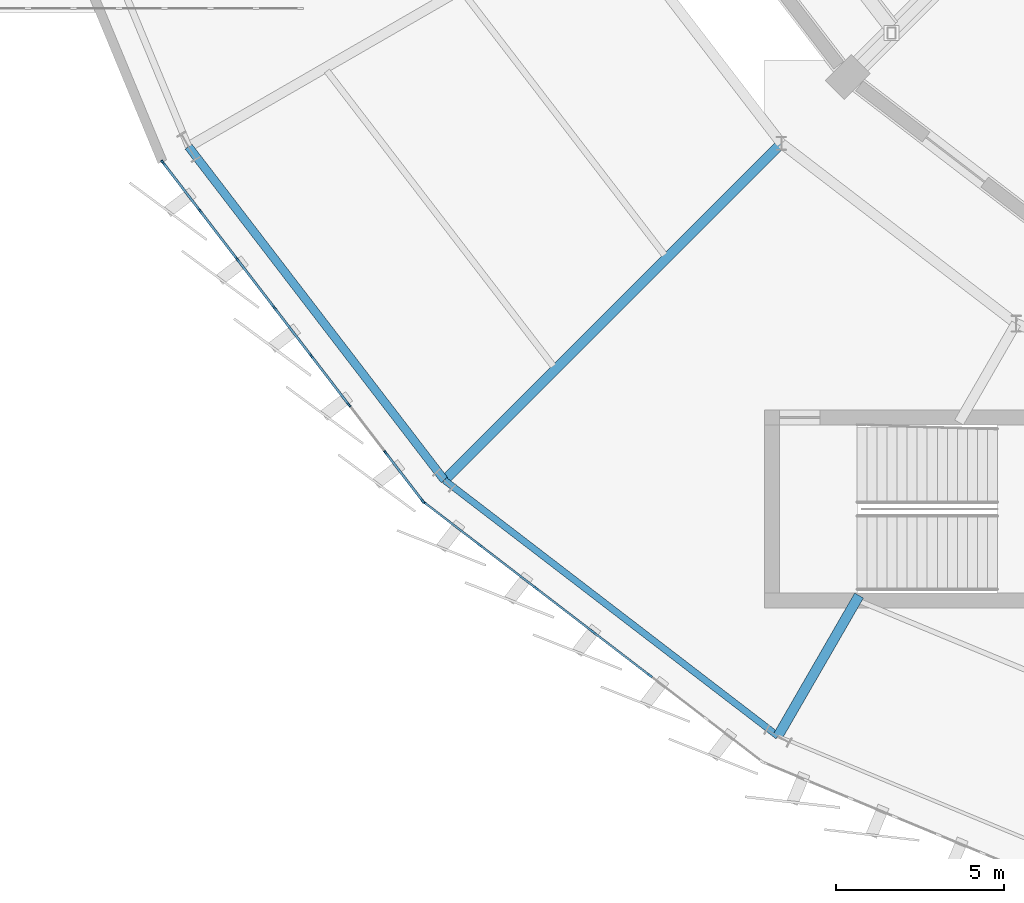
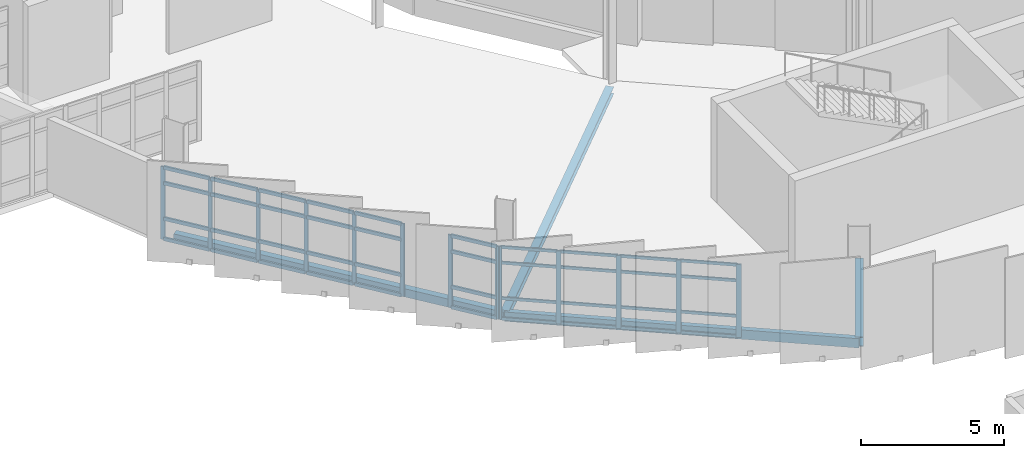
# One storey, part 26 of 120: 53 members, 4 beams, 2 elements without a shape of their own.
"""IFC4 building model written with IfcOpenShell, lengths in metres."""

from ifc_helpers import new_model, si_unit, direction, frame, origin, origin_2d, place, context, subcontext, project, spatial, rectangle, hollow_rectangle, i_section, extrude, material, layer, layer_set, material_profile, profile_set, type_object, element, aggregate, save


model = new_model("IFC4")

# Units and contexts
model_context = context("Model", 3, precision=1e-05, world=origin(), true_north=direction((0.0, 1.0)))
body_context = subcontext(model_context, "Body", "Model", "MODEL_VIEW")
ifc_project = project(units=[si_unit("LENGTHUNIT", "METRE"), si_unit("AREAUNIT", "SQUARE_METRE"), si_unit("VOLUMEUNIT", "CUBIC_METRE"), si_unit("PLANEANGLEUNIT", "RADIAN"), si_unit("MASSUNIT", "GRAM", prefix="KILO")], contexts=[model_context])

# Site, building, storey
site_placement = place(None, origin())
site = spatial("IfcSite", under=ifc_project, at=site_placement, CompositionType="ELEMENT")
building_placement = place(site_placement, origin())
building = spatial("IfcBuilding", under=site, at=building_placement, Name="Sohan Crest Arena", CompositionType="ELEMENT")
storey_placement = place(building_placement, frame((0.0, 0.0, 13.5)))
storey = spatial("IfcBuildingStorey", under=building, at=storey_placement, Name="L03", CompositionType="ELEMENT", Elevation=13.5)

# Curtain wall, members
ifc_material_1 = material(Name="Thermally broken anodised aluminium", Category="aluminium")
ifc_layer_1 = layer(ifc_material_1, 0.219970703125, Name="Thermally broken anodised aluminium")
ifc_layer_set_1 = layer_set([ifc_layer_1], Name="Thermally broken anodised aluminium")
curtain_wall_type_1 = type_object("IfcCurtainWallType", Name="ARC-CW03", PredefinedType="NOTDEFINED", material=ifc_layer_set_1)
curtain_wall_1_placement = place(storey_placement, origin())
curtain_wall_1 = element("IfcCurtainWall", 1, at=curtain_wall_1_placement, inside=storey, type_object=curtain_wall_type_1, Name="Unitised curtain wall CW-086", PredefinedType="NOTDEFINED")
ifc_material_profile_1 = material_profile(ifc_material_1, rectangle(XDim=0.06005859375, YDim=0.159912109375, at=origin_2d()), Name="ALU-MULL 60x160")
ifc_profile_set_1 = profile_set([ifc_material_profile_1], Name="Thermally broken anodised aluminium")
member_type_1 = type_object("IfcMemberType", Name="ARC-CW-ML01", PredefinedType="MULLION", material=ifc_profile_set_1)
member_1_placement = place(storey_placement, frame((55.669189453125, 53.526123046875, 0.0), z_axis=(0.0, 0.0, 1.0), x_axis=(0.793371792207, 0.608737381249, 0.0)))
member_1 = element("IfcMember", 2, at=member_1_placement, type_object=member_type_1, Name="CW-086 mullion 1", PredefinedType="MULLION", context=body_context, shape_type="SweptSolid", body=[
    extrude(rectangle(XDim=0.06005859375, YDim=0.159912109375, at=origin_2d()), origin(), (0.0, 0.0, 1.0), 3.1201171875),
])
member_2_placement = place(storey_placement, frame((56.76123046875, 52.10302734375, 0.0), z_axis=(0.0, 0.0, 1.0), x_axis=(0.793371792207, 0.608737381249, 0.0)))
member_2 = element("IfcMember", 3, at=member_2_placement, type_object=member_type_1, Name="CW-086 mullion 2", PredefinedType="MULLION", context=body_context, shape_type="SweptSolid", body=[
    extrude(rectangle(XDim=0.06005859375, YDim=0.159912109375, at=origin_2d()), origin(), (0.0, 0.0, 1.0), 3.1201171875),
])
member_3_placement = place(storey_placement, frame((57.871337890625, 50.65625, 0.0), z_axis=(0.0, 0.0, 1.0), x_axis=(0.793371792207, 0.608737381249, 0.0)))
member_3 = element("IfcMember", 4, at=member_3_placement, type_object=member_type_1, Name="CW-086 mullion 3", PredefinedType="MULLION", context=body_context, shape_type="SweptSolid", body=[
    extrude(rectangle(XDim=0.06005859375, YDim=0.159912109375, at=origin_2d()), origin(), (0.0, 0.0, 1.0), 3.1201171875),
])
member_4_placement = place(storey_placement, frame((58.9814453125, 49.20947265625, 0.0), z_axis=(0.0, 0.0, 1.0), x_axis=(0.793371792207, 0.608737381249, 0.0)))
member_4 = element("IfcMember", 5, at=member_4_placement, type_object=member_type_1, Name="CW-086 mullion 4", PredefinedType="MULLION", context=body_context, shape_type="SweptSolid", body=[
    extrude(rectangle(XDim=0.06005859375, YDim=0.159912109375, at=origin_2d()), origin(), (0.0, 0.0, 1.0), 3.1201171875),
])
member_5_placement = place(storey_placement, frame((60.091552734375, 47.762451171875, 0.0), z_axis=(0.0, 0.0, 1.0), x_axis=(0.793371792207, 0.608737381249, 0.0)))
member_5 = element("IfcMember", 6, at=member_5_placement, type_object=member_type_1, Name="CW-086 mullion 5", PredefinedType="MULLION", context=body_context, shape_type="SweptSolid", body=[
    extrude(rectangle(XDim=0.06005859375, YDim=0.159912109375, at=origin_2d()), origin(), (0.0, 0.0, 1.0), 3.1201171875),
])
member_6_placement = place(storey_placement, frame((61.20166015625, 46.315673828125, 0.0), z_axis=(0.0, 0.0, 1.0), x_axis=(0.793371792207, 0.608737381249, 0.0)))
member_6 = element("IfcMember", 7, at=member_6_placement, type_object=member_type_1, Name="CW-086 mullion 6", PredefinedType="MULLION", context=body_context, shape_type="SweptSolid", body=[
    extrude(rectangle(XDim=0.06005859375, YDim=0.159912109375, at=origin_2d()), origin(), (0.0, 0.0, 1.0), 3.1201171875),
])
member_7_placement = place(storey_placement, frame((62.311767578125, 44.868896484375, 0.0), z_axis=(0.0, 0.0, 1.0), x_axis=(0.793371792207, 0.608737381249, 0.0)))
member_7 = element("IfcMember", 8, at=member_7_placement, type_object=member_type_1, Name="CW-086 mullion 7", PredefinedType="MULLION", context=body_context, shape_type="SweptSolid", body=[
    extrude(rectangle(XDim=0.06005859375, YDim=0.159912109375, at=origin_2d()), origin(), (0.0, 0.0, 1.0), 3.1201171875),
])
member_8_placement = place(storey_placement, frame((63.40380859375, 43.44580078125, 0.0), z_axis=(0.0, 0.0, 1.0), x_axis=(0.793371792207, 0.608737381249, 0.0)))
member_8 = element("IfcMember", 9, at=member_8_placement, type_object=member_type_1, Name="CW-086 mullion 8", PredefinedType="MULLION", context=body_context, shape_type="SweptSolid", body=[
    extrude(rectangle(XDim=0.06005859375, YDim=0.159912109375, at=origin_2d()), origin(), (0.0, 0.0, 1.0), 3.1201171875),
])

ifc_layer_2 = layer(ifc_material_1, 0.239990234375, Name="Thermally broken anodised aluminium")
ifc_layer_set_2 = layer_set([ifc_layer_2], Name="Thermally broken anodised aluminium")
curtain_wall_type_2 = type_object("IfcCurtainWallType", Name="ARC-CW04", PredefinedType="NOTDEFINED", material=ifc_layer_set_2)
curtain_wall_2_placement = place(storey_placement, origin())
curtain_wall_2 = element("IfcCurtainWall", 10, at=curtain_wall_2_placement, inside=storey, type_object=curtain_wall_type_2, Name="Unitised curtain wall CW-087", PredefinedType="NOTDEFINED")
ifc_material_profile_2 = material_profile(ifc_material_1, rectangle(XDim=0.06494140625, YDim=0.179931640625, at=origin_2d()), Name="ALU-MULL 65x180")
ifc_profile_set_2 = profile_set([ifc_material_profile_2], Name="Thermally broken anodised aluminium")
member_type_2 = type_object("IfcMemberType", Name="ARC-CW-ML02", PredefinedType="MULLION", material=ifc_profile_set_2)
member_9_placement = place(storey_placement, frame((63.44775390625, 43.402099609375, 0.0), z_axis=(0.0, 0.0, 1.0), x_axis=(0.608737381249, 0.793371792207, 0.0)))
member_9 = element("IfcMember", 11, at=member_9_placement, type_object=member_type_2, Name="CW-087 mullion 1", PredefinedType="MULLION", context=body_context, shape_type="SweptSolid", body=[
    extrude(rectangle(XDim=0.06494140625, YDim=0.179931640625, at=origin_2d()), origin(), (0.0, 0.0, 1.0), 3.1201171875),
])
member_10_placement = place(storey_placement, frame((65.110107421875, 42.126953125, 0.0), z_axis=(0.0, 0.0, 1.0), x_axis=(0.608737381249, 0.793371792207, 0.0)))
member_10 = element("IfcMember", 12, at=member_10_placement, type_object=member_type_2, Name="CW-087 mullion 2", PredefinedType="MULLION", context=body_context, shape_type="SweptSolid", body=[
    extrude(rectangle(XDim=0.06494140625, YDim=0.179931640625, at=origin_2d()), origin(), (0.0, 0.0, 1.0), 3.1201171875),
])
member_11_placement = place(storey_placement, frame((66.798095703125, 40.831787109375, 0.0), z_axis=(0.0, 0.0, 1.0), x_axis=(0.608737381249, 0.793371792207, 0.0)))
member_11 = element("IfcMember", 13, at=member_11_placement, type_object=member_type_2, Name="CW-087 mullion 3", PredefinedType="MULLION", context=body_context, shape_type="SweptSolid", body=[
    extrude(rectangle(XDim=0.06494140625, YDim=0.179931640625, at=origin_2d()), origin(), (0.0, 0.0, 1.0), 3.1201171875),
])
member_12_placement = place(storey_placement, frame((68.486083984375, 39.53662109375, 0.0), z_axis=(0.0, 0.0, 1.0), x_axis=(0.608737381249, 0.793371792207, 0.0)))
member_12 = element("IfcMember", 14, at=member_12_placement, type_object=member_type_2, Name="CW-087 mullion 4", PredefinedType="MULLION", context=body_context, shape_type="SweptSolid", body=[
    extrude(rectangle(XDim=0.06494140625, YDim=0.179931640625, at=origin_2d()), origin(), (0.0, 0.0, 1.0), 3.1201171875),
])
member_13_placement = place(storey_placement, frame((70.174072265625, 38.241455078125, 0.0), z_axis=(0.0, 0.0, 1.0), x_axis=(0.608737381249, 0.793371792207, 0.0)))
member_13 = element("IfcMember", 15, at=member_13_placement, type_object=member_type_2, Name="CW-087 mullion 5", PredefinedType="MULLION", context=body_context, shape_type="SweptSolid", body=[
    extrude(rectangle(XDim=0.06494140625, YDim=0.179931640625, at=origin_2d()), origin(), (0.0, 0.0, 1.0), 3.1201171875),
])
ifc_material_profile_3 = material_profile(ifc_material_1, rectangle(XDim=0.06005859375, YDim=0.1201171875, at=origin_2d()), Name="ALU-TRAN 60x120")
ifc_profile_set_3 = profile_set([ifc_material_profile_3], Name="Thermally broken anodised aluminium")
member_type_3 = type_object("IfcMemberType", Name="ARC-CW-TR01", PredefinedType="USERDEFINED", material=ifc_profile_set_3)
member_14_placement = place(storey_placement, frame((63.4736328125, 43.38232421875, 0.030029296875), z_axis=(0.793414682637, -0.608681477767, 0.0), x_axis=(0.608681477767, 0.793414682637, 0.0)))
member_14 = element("IfcMember", 16, at=member_14_placement, type_object=member_type_3, Name="CW-087 transom 1.1", ObjectType="TRANSOM", PredefinedType="USERDEFINED", context=body_context, shape_type="SweptSolid", body=[
    extrude(rectangle(XDim=0.06005859375, YDim=0.1201171875, at=origin_2d()), origin(), (0.0, 0.0, 1.0), 2.030029296875),
])
member_15_placement = place(storey_placement, frame((63.4736328125, 43.38232421875, 0.89990234375), z_axis=(0.793414682637, -0.608681477767, 0.0), x_axis=(0.608681477767, 0.793414682637, 0.0)))
member_15 = element("IfcMember", 17, at=member_15_placement, type_object=member_type_3, Name="CW-087 transom 1.2", ObjectType="TRANSOM", PredefinedType="USERDEFINED", context=body_context, shape_type="SweptSolid", body=[
    extrude(rectangle(XDim=0.06005859375, YDim=0.1201171875, at=origin_2d()), origin(), (0.0, 0.0, 1.0), 2.030029296875),
])
member_16_placement = place(storey_placement, frame((63.4736328125, 43.38232421875, 2.419921875), z_axis=(0.793414682637, -0.608681477767, 0.0), x_axis=(0.608681477767, 0.793414682637, 0.0)))
member_16 = element("IfcMember", 18, at=member_16_placement, type_object=member_type_3, Name="CW-087 transom 1.3", ObjectType="TRANSOM", PredefinedType="USERDEFINED", context=body_context, shape_type="SweptSolid", body=[
    extrude(rectangle(XDim=0.06005859375, YDim=0.1201171875, at=origin_2d()), origin(), (0.0, 0.0, 1.0), 2.030029296875),
])
member_17_placement = place(storey_placement, frame((63.4736328125, 43.38232421875, 3.090087890625), z_axis=(0.793414682637, -0.608681477767, 0.0), x_axis=(0.608681477767, 0.793414682637, 0.0)))
member_17 = element("IfcMember", 19, at=member_17_placement, type_object=member_type_3, Name="CW-087 transom 1.4", ObjectType="TRANSOM", PredefinedType="USERDEFINED", context=body_context, shape_type="SweptSolid", body=[
    extrude(rectangle(XDim=0.06005859375, YDim=0.1201171875, at=origin_2d()), origin(), (0.0, 0.0, 1.0), 2.030029296875),
])
member_18_placement = place(storey_placement, frame((65.1357421875, 42.10693359375, 0.030029296875), z_axis=(0.79343295745, -0.608657655856, 0.0), x_axis=(0.608657655856, 0.79343295745, 0.0)))
member_18 = element("IfcMember", 20, at=member_18_placement, type_object=member_type_3, Name="CW-087 transom 2.1", ObjectType="TRANSOM", PredefinedType="USERDEFINED", context=body_context, shape_type="SweptSolid", body=[
    extrude(rectangle(XDim=0.06005859375, YDim=0.1201171875, at=origin_2d()), origin(), (0.0, 0.0, 1.0), 2.0625),
])
member_19_placement = place(storey_placement, frame((65.1357421875, 42.10693359375, 0.89990234375), z_axis=(0.79343295745, -0.608657655856, 0.0), x_axis=(0.608657655856, 0.79343295745, 0.0)))
member_19 = element("IfcMember", 21, at=member_19_placement, type_object=member_type_3, Name="CW-087 transom 2.2", ObjectType="TRANSOM", PredefinedType="USERDEFINED", context=body_context, shape_type="SweptSolid", body=[
    extrude(rectangle(XDim=0.06005859375, YDim=0.1201171875, at=origin_2d()), origin(), (0.0, 0.0, 1.0), 2.0625),
])
member_20_placement = place(storey_placement, frame((65.1357421875, 42.10693359375, 2.419921875), z_axis=(0.79343295745, -0.608657655856, 0.0), x_axis=(0.608657655856, 0.79343295745, 0.0)))
member_20 = element("IfcMember", 22, at=member_20_placement, type_object=member_type_3, Name="CW-087 transom 2.3", ObjectType="TRANSOM", PredefinedType="USERDEFINED", context=body_context, shape_type="SweptSolid", body=[
    extrude(rectangle(XDim=0.06005859375, YDim=0.1201171875, at=origin_2d()), origin(), (0.0, 0.0, 1.0), 2.0625),
])
member_21_placement = place(storey_placement, frame((65.1357421875, 42.10693359375, 3.090087890625), z_axis=(0.79343295745, -0.608657655856, 0.0), x_axis=(0.608657655856, 0.79343295745, 0.0)))
member_21 = element("IfcMember", 23, at=member_21_placement, type_object=member_type_3, Name="CW-087 transom 2.4", ObjectType="TRANSOM", PredefinedType="USERDEFINED", context=body_context, shape_type="SweptSolid", body=[
    extrude(rectangle(XDim=0.06005859375, YDim=0.1201171875, at=origin_2d()), origin(), (0.0, 0.0, 1.0), 2.0625),
])
member_22_placement = place(storey_placement, frame((66.82373046875, 40.811767578125, 0.030029296875), z_axis=(0.79343295745, -0.608657655856, 0.0), x_axis=(0.608657655856, 0.79343295745, 0.0)))
member_22 = element("IfcMember", 24, at=member_22_placement, type_object=member_type_3, Name="CW-087 transom 3.1", ObjectType="TRANSOM", PredefinedType="USERDEFINED", context=body_context, shape_type="SweptSolid", body=[
    extrude(rectangle(XDim=0.06005859375, YDim=0.1201171875, at=origin_2d()), origin(), (0.0, 0.0, 1.0), 2.0625),
])
member_23_placement = place(storey_placement, frame((66.82373046875, 40.811767578125, 0.89990234375), z_axis=(0.79343295745, -0.608657655856, 0.0), x_axis=(0.608657655856, 0.79343295745, 0.0)))
member_23 = element("IfcMember", 25, at=member_23_placement, type_object=member_type_3, Name="CW-087 transom 3.2", ObjectType="TRANSOM", PredefinedType="USERDEFINED", context=body_context, shape_type="SweptSolid", body=[
    extrude(rectangle(XDim=0.06005859375, YDim=0.1201171875, at=origin_2d()), origin(), (0.0, 0.0, 1.0), 2.0625),
])
member_24_placement = place(storey_placement, frame((66.82373046875, 40.811767578125, 2.419921875), z_axis=(0.79343295745, -0.608657655856, 0.0), x_axis=(0.608657655856, 0.79343295745, 0.0)))
member_24 = element("IfcMember", 26, at=member_24_placement, type_object=member_type_3, Name="CW-087 transom 3.3", ObjectType="TRANSOM", PredefinedType="USERDEFINED", context=body_context, shape_type="SweptSolid", body=[
    extrude(rectangle(XDim=0.06005859375, YDim=0.1201171875, at=origin_2d()), origin(), (0.0, 0.0, 1.0), 2.0625),
])
member_25_placement = place(storey_placement, frame((66.82373046875, 40.811767578125, 3.090087890625), z_axis=(0.79343295745, -0.608657655856, 0.0), x_axis=(0.608657655856, 0.79343295745, 0.0)))
member_25 = element("IfcMember", 27, at=member_25_placement, type_object=member_type_3, Name="CW-087 transom 3.4", ObjectType="TRANSOM", PredefinedType="USERDEFINED", context=body_context, shape_type="SweptSolid", body=[
    extrude(rectangle(XDim=0.06005859375, YDim=0.1201171875, at=origin_2d()), origin(), (0.0, 0.0, 1.0), 2.0625),
])
member_26_placement = place(storey_placement, frame((68.51171875, 39.5166015625, 0.030029296875), z_axis=(0.79343295745, -0.608657655856, 0.0), x_axis=(0.608657655856, 0.79343295745, 0.0)))
member_26 = element("IfcMember", 28, at=member_26_placement, type_object=member_type_3, Name="CW-087 transom 4.1", ObjectType="TRANSOM", PredefinedType="USERDEFINED", context=body_context, shape_type="SweptSolid", body=[
    extrude(rectangle(XDim=0.06005859375, YDim=0.1201171875, at=origin_2d()), origin(), (0.0, 0.0, 1.0), 2.0625),
])
member_27_placement = place(storey_placement, frame((68.51171875, 39.5166015625, 0.89990234375), z_axis=(0.79343295745, -0.608657655856, 0.0), x_axis=(0.608657655856, 0.79343295745, 0.0)))
member_27 = element("IfcMember", 29, at=member_27_placement, type_object=member_type_3, Name="CW-087 transom 4.2", ObjectType="TRANSOM", PredefinedType="USERDEFINED", context=body_context, shape_type="SweptSolid", body=[
    extrude(rectangle(XDim=0.06005859375, YDim=0.1201171875, at=origin_2d()), origin(), (0.0, 0.0, 1.0), 2.0625),
])
member_28_placement = place(storey_placement, frame((68.51171875, 39.5166015625, 2.419921875), z_axis=(0.79343295745, -0.608657655856, 0.0), x_axis=(0.608657655856, 0.79343295745, 0.0)))
member_28 = element("IfcMember", 30, at=member_28_placement, type_object=member_type_3, Name="CW-087 transom 4.3", ObjectType="TRANSOM", PredefinedType="USERDEFINED", context=body_context, shape_type="SweptSolid", body=[
    extrude(rectangle(XDim=0.06005859375, YDim=0.1201171875, at=origin_2d()), origin(), (0.0, 0.0, 1.0), 2.0625),
])
member_29_placement = place(storey_placement, frame((68.51171875, 39.5166015625, 3.090087890625), z_axis=(0.79343295745, -0.608657655856, 0.0), x_axis=(0.608657655856, 0.79343295745, 0.0)))
member_29 = element("IfcMember", 31, at=member_29_placement, type_object=member_type_3, Name="CW-087 transom 4.4", ObjectType="TRANSOM", PredefinedType="USERDEFINED", context=body_context, shape_type="SweptSolid", body=[
    extrude(rectangle(XDim=0.06005859375, YDim=0.1201171875, at=origin_2d()), origin(), (0.0, 0.0, 1.0), 2.0625),
])
aggregate(curtain_wall_2, [member_9, member_10, member_11, member_12, member_13, member_14, member_15, member_16, member_17, member_18, member_19, member_20, member_21, member_22, member_23, member_24, member_25, member_26, member_27, member_28, member_29])

# Member
ifc_material_profile_4 = material_profile(ifc_material_1, rectangle(XDim=0.070068359375, YDim=0.14990234375, at=origin_2d()), Name="ALU-TRAN 70x150")
ifc_profile_set_4 = profile_set([ifc_material_profile_4], Name="Thermally broken anodised aluminium")
member_type_4 = type_object("IfcMemberType", Name="ARC-CW-TR03", PredefinedType="USERDEFINED", material=ifc_profile_set_4)
member_30_placement = place(storey_placement, frame((55.6875, 53.50244140625, 0.034912109375), z_axis=(0.608750771004, -0.793361518352, 0.0), x_axis=(0.793361518352, 0.608750771004, 0.0)))
member_30 = element("IfcMember", 32, at=member_30_placement, type_object=member_type_4, Name="CW-086 transom 1.1", ObjectType="TRANSOM", PredefinedType="USERDEFINED", context=body_context, shape_type="SweptSolid", body=[
    extrude(rectangle(XDim=0.070068359375, YDim=0.14990234375, at=origin_2d()), origin(), (0.0, 0.0, 1.0), 1.733642578125),
])

member_31_placement = place(storey_placement, frame((55.6875, 53.50244140625, 0.89990234375), z_axis=(0.608750771004, -0.793361518352, 0.0), x_axis=(0.793361518352, 0.608750771004, 0.0)))
member_31 = element("IfcMember", 33, at=member_31_placement, type_object=member_type_4, Name="CW-086 transom 1.2", ObjectType="TRANSOM", PredefinedType="USERDEFINED", context=body_context, shape_type="SweptSolid", body=[
    extrude(rectangle(XDim=0.070068359375, YDim=0.14990234375, at=origin_2d()), origin(), (0.0, 0.0, 1.0), 1.733642578125),
])

member_32_placement = place(storey_placement, frame((55.6875, 53.50244140625, 2.419921875), z_axis=(0.608750771004, -0.793361518352, 0.0), x_axis=(0.793361518352, 0.608750771004, 0.0)))
member_32 = element("IfcMember", 34, at=member_32_placement, type_object=member_type_4, Name="CW-086 transom 1.3", ObjectType="TRANSOM", PredefinedType="USERDEFINED", context=body_context, shape_type="SweptSolid", body=[
    extrude(rectangle(XDim=0.070068359375, YDim=0.14990234375, at=origin_2d()), origin(), (0.0, 0.0, 1.0), 1.733642578125),
])

member_33_placement = place(storey_placement, frame((55.6875, 53.50244140625, 3.0849609375), z_axis=(0.608750771004, -0.793361518352, 0.0), x_axis=(0.793361518352, 0.608750771004, 0.0)))
member_33 = element("IfcMember", 35, at=member_33_placement, type_object=member_type_4, Name="CW-086 transom 1.4", ObjectType="TRANSOM", PredefinedType="USERDEFINED", context=body_context, shape_type="SweptSolid", body=[
    extrude(rectangle(XDim=0.070068359375, YDim=0.14990234375, at=origin_2d()), origin(), (0.0, 0.0, 1.0), 1.733642578125),
])

member_34_placement = place(storey_placement, frame((56.779296875, 52.079345703125, 0.034912109375), z_axis=(0.608800551103, -0.79332331932, 0.0), x_axis=(0.79332331932, 0.608800551103, 0.0)))
member_34 = element("IfcMember", 36, at=member_34_placement, type_object=member_type_4, Name="CW-086 transom 2.1", ObjectType="TRANSOM", PredefinedType="USERDEFINED", context=body_context, shape_type="SweptSolid", body=[
    extrude(rectangle(XDim=0.070068359375, YDim=0.14990234375, at=origin_2d()), origin(), (0.0, 0.0, 1.0), 1.763671875),
])

member_35_placement = place(storey_placement, frame((56.779296875, 52.079345703125, 0.89990234375), z_axis=(0.608800551103, -0.79332331932, 0.0), x_axis=(0.79332331932, 0.608800551103, 0.0)))
member_35 = element("IfcMember", 37, at=member_35_placement, type_object=member_type_4, Name="CW-086 transom 2.2", ObjectType="TRANSOM", PredefinedType="USERDEFINED", context=body_context, shape_type="SweptSolid", body=[
    extrude(rectangle(XDim=0.070068359375, YDim=0.14990234375, at=origin_2d()), origin(), (0.0, 0.0, 1.0), 1.763671875),
])

member_36_placement = place(storey_placement, frame((56.779296875, 52.079345703125, 2.419921875), z_axis=(0.608800551103, -0.79332331932, 0.0), x_axis=(0.79332331932, 0.608800551103, 0.0)))
member_36 = element("IfcMember", 38, at=member_36_placement, type_object=member_type_4, Name="CW-086 transom 2.3", ObjectType="TRANSOM", PredefinedType="USERDEFINED", context=body_context, shape_type="SweptSolid", body=[
    extrude(rectangle(XDim=0.070068359375, YDim=0.14990234375, at=origin_2d()), origin(), (0.0, 0.0, 1.0), 1.763671875),
])

member_37_placement = place(storey_placement, frame((56.779296875, 52.079345703125, 3.0849609375), z_axis=(0.608800551103, -0.79332331932, 0.0), x_axis=(0.79332331932, 0.608800551103, 0.0)))
member_37 = element("IfcMember", 39, at=member_37_placement, type_object=member_type_4, Name="CW-086 transom 2.4", ObjectType="TRANSOM", PredefinedType="USERDEFINED", context=body_context, shape_type="SweptSolid", body=[
    extrude(rectangle(XDim=0.070068359375, YDim=0.14990234375, at=origin_2d()), origin(), (0.0, 0.0, 1.0), 1.763671875),
])

member_38_placement = place(storey_placement, frame((57.8896484375, 50.632568359375, 0.034912109375), z_axis=(0.608646566373, -0.793441464282, 0.0), x_axis=(0.793441464282, 0.608646566373, 0.0)))
member_38 = element("IfcMember", 40, at=member_38_placement, type_object=member_type_4, Name="CW-086 transom 3.1", ObjectType="TRANSOM", PredefinedType="USERDEFINED", context=body_context, shape_type="SweptSolid", body=[
    extrude(rectangle(XDim=0.070068359375, YDim=0.14990234375, at=origin_2d()), origin(), (0.0, 0.0, 1.0), 1.763671875),
])

member_39_placement = place(storey_placement, frame((57.8896484375, 50.632568359375, 0.89990234375), z_axis=(0.608646566373, -0.793441464282, 0.0), x_axis=(0.793441464282, 0.608646566373, 0.0)))
member_39 = element("IfcMember", 41, at=member_39_placement, type_object=member_type_4, Name="CW-086 transom 3.2", ObjectType="TRANSOM", PredefinedType="USERDEFINED", context=body_context, shape_type="SweptSolid", body=[
    extrude(rectangle(XDim=0.070068359375, YDim=0.14990234375, at=origin_2d()), origin(), (0.0, 0.0, 1.0), 1.763671875),
])

member_40_placement = place(storey_placement, frame((57.8896484375, 50.632568359375, 2.419921875), z_axis=(0.608646566373, -0.793441464282, 0.0), x_axis=(0.793441464282, 0.608646566373, 0.0)))
member_40 = element("IfcMember", 42, at=member_40_placement, type_object=member_type_4, Name="CW-086 transom 3.3", ObjectType="TRANSOM", PredefinedType="USERDEFINED", context=body_context, shape_type="SweptSolid", body=[
    extrude(rectangle(XDim=0.070068359375, YDim=0.14990234375, at=origin_2d()), origin(), (0.0, 0.0, 1.0), 1.763671875),
])

member_41_placement = place(storey_placement, frame((57.8896484375, 50.632568359375, 3.0849609375), z_axis=(0.608646566373, -0.793441464282, 0.0), x_axis=(0.793441464282, 0.608646566373, 0.0)))
member_41 = element("IfcMember", 43, at=member_41_placement, type_object=member_type_4, Name="CW-086 transom 3.4", ObjectType="TRANSOM", PredefinedType="USERDEFINED", context=body_context, shape_type="SweptSolid", body=[
    extrude(rectangle(XDim=0.070068359375, YDim=0.14990234375, at=origin_2d()), origin(), (0.0, 0.0, 1.0), 1.763671875),
])

member_42_placement = place(storey_placement, frame((58.999755859375, 49.185546875, 0.034912109375), z_axis=(0.60871341961, -0.79339017689, 0.0), x_axis=(0.79339017689, 0.60871341961, 0.0)))
member_42 = element("IfcMember", 44, at=member_42_placement, type_object=member_type_4, Name="CW-086 transom 4.1", ObjectType="TRANSOM", PredefinedType="USERDEFINED", context=body_context, shape_type="SweptSolid", body=[
    extrude(rectangle(XDim=0.070068359375, YDim=0.14990234375, at=origin_2d()), origin(), (0.0, 0.0, 1.0), 1.763427734375),
])

member_43_placement = place(storey_placement, frame((58.999755859375, 49.185546875, 0.89990234375), z_axis=(0.60871341961, -0.79339017689, 0.0), x_axis=(0.79339017689, 0.60871341961, 0.0)))
member_43 = element("IfcMember", 45, at=member_43_placement, type_object=member_type_4, Name="CW-086 transom 4.2", ObjectType="TRANSOM", PredefinedType="USERDEFINED", context=body_context, shape_type="SweptSolid", body=[
    extrude(rectangle(XDim=0.070068359375, YDim=0.14990234375, at=origin_2d()), origin(), (0.0, 0.0, 1.0), 1.763427734375),
])

member_44_placement = place(storey_placement, frame((58.999755859375, 49.185546875, 2.419921875), z_axis=(0.60871341961, -0.79339017689, 0.0), x_axis=(0.79339017689, 0.60871341961, 0.0)))
member_44 = element("IfcMember", 46, at=member_44_placement, type_object=member_type_4, Name="CW-086 transom 4.3", ObjectType="TRANSOM", PredefinedType="USERDEFINED", context=body_context, shape_type="SweptSolid", body=[
    extrude(rectangle(XDim=0.070068359375, YDim=0.14990234375, at=origin_2d()), origin(), (0.0, 0.0, 1.0), 1.763427734375),
])

member_45_placement = place(storey_placement, frame((58.999755859375, 49.185546875, 3.0849609375), z_axis=(0.60871341961, -0.79339017689, 0.0), x_axis=(0.79339017689, 0.60871341961, 0.0)))
member_45 = element("IfcMember", 47, at=member_45_placement, type_object=member_type_4, Name="CW-086 transom 4.4", ObjectType="TRANSOM", PredefinedType="USERDEFINED", context=body_context, shape_type="SweptSolid", body=[
    extrude(rectangle(XDim=0.070068359375, YDim=0.14990234375, at=origin_2d()), origin(), (0.0, 0.0, 1.0), 1.763427734375),
])

member_46_placement = place(storey_placement, frame((60.10986328125, 47.73876953125, 0.034912109375), z_axis=(0.60871341961, -0.79339017689, 0.0), x_axis=(0.79339017689, 0.60871341961, 0.0)))
member_46 = element("IfcMember", 48, at=member_46_placement, type_object=member_type_4, Name="CW-086 transom 5.1", ObjectType="TRANSOM", PredefinedType="USERDEFINED", context=body_context, shape_type="SweptSolid", body=[
    extrude(rectangle(XDim=0.070068359375, YDim=0.14990234375, at=origin_2d()), origin(), (0.0, 0.0, 1.0), 1.763427734375),
])

member_47_placement = place(storey_placement, frame((60.10986328125, 47.73876953125, 0.89990234375), z_axis=(0.60871341961, -0.79339017689, 0.0), x_axis=(0.79339017689, 0.60871341961, 0.0)))
member_47 = element("IfcMember", 49, at=member_47_placement, type_object=member_type_4, Name="CW-086 transom 5.2", ObjectType="TRANSOM", PredefinedType="USERDEFINED", context=body_context, shape_type="SweptSolid", body=[
    extrude(rectangle(XDim=0.070068359375, YDim=0.14990234375, at=origin_2d()), origin(), (0.0, 0.0, 1.0), 1.763427734375),
])

member_48_placement = place(storey_placement, frame((60.10986328125, 47.73876953125, 2.419921875), z_axis=(0.60871341961, -0.79339017689, 0.0), x_axis=(0.79339017689, 0.60871341961, 0.0)))
member_48 = element("IfcMember", 50, at=member_48_placement, type_object=member_type_4, Name="CW-086 transom 5.3", ObjectType="TRANSOM", PredefinedType="USERDEFINED", context=body_context, shape_type="SweptSolid", body=[
    extrude(rectangle(XDim=0.070068359375, YDim=0.14990234375, at=origin_2d()), origin(), (0.0, 0.0, 1.0), 1.763427734375),
])

member_49_placement = place(storey_placement, frame((60.10986328125, 47.73876953125, 3.0849609375), z_axis=(0.60871341961, -0.79339017689, 0.0), x_axis=(0.79339017689, 0.60871341961, 0.0)))
member_49 = element("IfcMember", 51, at=member_49_placement, type_object=member_type_4, Name="CW-086 transom 5.4", ObjectType="TRANSOM", PredefinedType="USERDEFINED", context=body_context, shape_type="SweptSolid", body=[
    extrude(rectangle(XDim=0.070068359375, YDim=0.14990234375, at=origin_2d()), origin(), (0.0, 0.0, 1.0), 1.763427734375),
])

member_50_placement = place(storey_placement, frame((62.330078125, 44.844970703125, 0.034912109375), z_axis=(0.608750771004, -0.793361518352, 0.0), x_axis=(0.793361518352, 0.608750771004, 0.0)))
member_50 = element("IfcMember", 52, at=member_50_placement, type_object=member_type_4, Name="CW-086 transom 7.1", ObjectType="TRANSOM", PredefinedType="USERDEFINED", context=body_context, shape_type="SweptSolid", body=[
    extrude(rectangle(XDim=0.070068359375, YDim=0.14990234375, at=origin_2d()), origin(), (0.0, 0.0, 1.0), 1.733642578125),
])

member_51_placement = place(storey_placement, frame((62.330078125, 44.844970703125, 0.89990234375), z_axis=(0.608750771004, -0.793361518352, 0.0), x_axis=(0.793361518352, 0.608750771004, 0.0)))
member_51 = element("IfcMember", 53, at=member_51_placement, type_object=member_type_4, Name="CW-086 transom 7.2", ObjectType="TRANSOM", PredefinedType="USERDEFINED", context=body_context, shape_type="SweptSolid", body=[
    extrude(rectangle(XDim=0.070068359375, YDim=0.14990234375, at=origin_2d()), origin(), (0.0, 0.0, 1.0), 1.733642578125),
])

member_52_placement = place(storey_placement, frame((62.330078125, 44.844970703125, 2.419921875), z_axis=(0.608750771004, -0.793361518352, 0.0), x_axis=(0.793361518352, 0.608750771004, 0.0)))
member_52 = element("IfcMember", 54, at=member_52_placement, type_object=member_type_4, Name="CW-086 transom 7.3", ObjectType="TRANSOM", PredefinedType="USERDEFINED", context=body_context, shape_type="SweptSolid", body=[
    extrude(rectangle(XDim=0.070068359375, YDim=0.14990234375, at=origin_2d()), origin(), (0.0, 0.0, 1.0), 1.733642578125),
])

member_53_placement = place(storey_placement, frame((62.330078125, 44.844970703125, 3.0849609375), z_axis=(0.608750771004, -0.793361518352, 0.0), x_axis=(0.793361518352, 0.608750771004, 0.0)))
member_53 = element("IfcMember", 55, at=member_53_placement, type_object=member_type_4, Name="CW-086 transom 7.4", ObjectType="TRANSOM", PredefinedType="USERDEFINED", context=body_context, shape_type="SweptSolid", body=[
    extrude(rectangle(XDim=0.070068359375, YDim=0.14990234375, at=origin_2d()), origin(), (0.0, 0.0, 1.0), 1.733642578125),
])

aggregate(curtain_wall_1, [member_1, member_2, member_3, member_4, member_5, member_6, member_7, member_8, member_30, member_31, member_32, member_33, member_34, member_35, member_36, member_37, member_38, member_39, member_40, member_41, member_42, member_43, member_44, member_45, member_46, member_47, member_48, member_49, member_50, member_51, member_52, member_53])

# Beams
ifc_material_2 = material(Name="Steel S355", Category="steel")
ifc_material_profile_5 = material_profile(ifc_material_2, i_section(OverallWidth=0.300048828125, OverallDepth=0.300048828125, WebThickness=0.010986328125, FlangeThickness=0.01904296875, at=origin_2d()), Name="HEB 300")
ifc_profile_set_5 = profile_set([ifc_material_profile_5], Name="Steel S355")
beam_type_1 = type_object("IfcBeamType", Name="STR-BM-B12", PredefinedType="BEAM", material=ifc_profile_set_5)
beam_1_placement = place(storey_placement, frame((74.10009765625, 54.10009765625, -0.39990234375), z_axis=(-0.707106781187, -0.707106781187, 0.0), x_axis=(0.707106781187, -0.707106781187, 0.0)))
element("IfcBeam", 56, at=beam_1_placement, inside=storey, type_object=beam_type_1, Name="Structural beam G-L03-1435", PredefinedType="BEAM", context=body_context, shape_type="SweptSolid", body=[
    extrude(i_section(OverallWidth=0.300048828125, OverallDepth=0.300048828125, WebThickness=0.010986328125, FlangeThickness=0.01904296875, at=origin_2d()), origin(), (0.0, 0.0, 1.0), 14.2001953125),
])
ifc_material_profile_6 = material_profile(ifc_material_2, i_section(OverallWidth=0.300048828125, OverallDepth=0.39990234375, WebThickness=0.013427734375, FlangeThickness=0.02392578125, at=origin_2d()), Name="HEB 400")
ifc_profile_set_6 = profile_set([ifc_material_profile_6], Name="Steel S355")
beam_type_2 = type_object("IfcBeamType", Name="STR-BM-B13", PredefinedType="BEAM", material=ifc_profile_set_6)
beam_2_placement = place(storey_placement, frame((76.4189453125, 40.6201171875, -0.449951171875), z_axis=(-0.500047190239, -0.865998156773, 0.0), x_axis=(0.865998156773, -0.500047190239, 0.0)))
element("IfcBeam", 57, at=beam_2_placement, inside=storey, type_object=beam_type_2, Name="Structural beam G-L03-1439", PredefinedType="BEAM", context=body_context, shape_type="SweptSolid", body=[
    extrude(i_section(OverallWidth=0.300048828125, OverallDepth=0.39990234375, WebThickness=0.013427734375, FlangeThickness=0.02392578125, at=origin_2d()), origin(), (0.0, 0.0, 1.0), 4.83740234375),
])
ifc_material_profile_7 = material_profile(ifc_material_2, hollow_rectangle(XDim=0.25, YDim=0.35009765625, WallThickness=0.012451171875, at=origin_2d()), Name="RHS 350x250x12.5")
ifc_profile_set_7 = profile_set([ifc_material_profile_7], Name="Steel S355")
beam_type_3 = type_object("IfcBeamType", Name="STR-BM-SP04", PredefinedType="SPANDREL", material=ifc_profile_set_7)
beam_3_placement = place(storey_placement, frame((56.430908203125, 54.0, -0.425048828125), z_axis=(0.608773443368, -0.793344121205, 0.0), x_axis=(0.793344121205, 0.608773443368, 0.0)))
element("IfcBeam", 58, at=beam_3_placement, inside=storey, type_object=beam_type_3, Name="Structural beam SP-L03-1432", PredefinedType="SPANDREL", context=body_context, shape_type="SweptSolid", body=[
    extrude(hollow_rectangle(XDim=0.25, YDim=0.35009765625, WallThickness=0.012451171875, at=origin_2d()), origin(), (0.0, 0.0, 1.0), 12.530517578125),
])
ifc_material_profile_8 = material_profile(ifc_material_2, hollow_rectangle(XDim=0.199951171875, YDim=0.39990234375, WallThickness=0.012451171875, at=origin_2d()), Name="RHS 400x200x12.5")
ifc_profile_set_8 = profile_set([ifc_material_profile_8], Name="Steel S355")
beam_type_4 = type_object("IfcBeamType", Name="STR-BM-SP05", PredefinedType="SPANDREL", material=ifc_profile_set_8)
beam_4_placement = place(storey_placement, frame((64.05908203125, 44.05908203125, -0.449951171875), z_axis=(0.793344121205, -0.608773443368, 0.0), x_axis=(0.608773443368, 0.793344121205, 0.0)))
element("IfcBeam", 59, at=beam_4_placement, inside=storey, type_object=beam_type_4, Name="Structural beam SP-L03-1437", PredefinedType="SPANDREL", context=body_context, shape_type="SweptSolid", body=[
    extrude(hollow_rectangle(XDim=0.199951171875, YDim=0.39990234375, WallThickness=0.012451171875, at=origin_2d()), origin(), (0.0, 0.0, 1.0), 12.530517578125),
])

save(model, "model.ifc")
